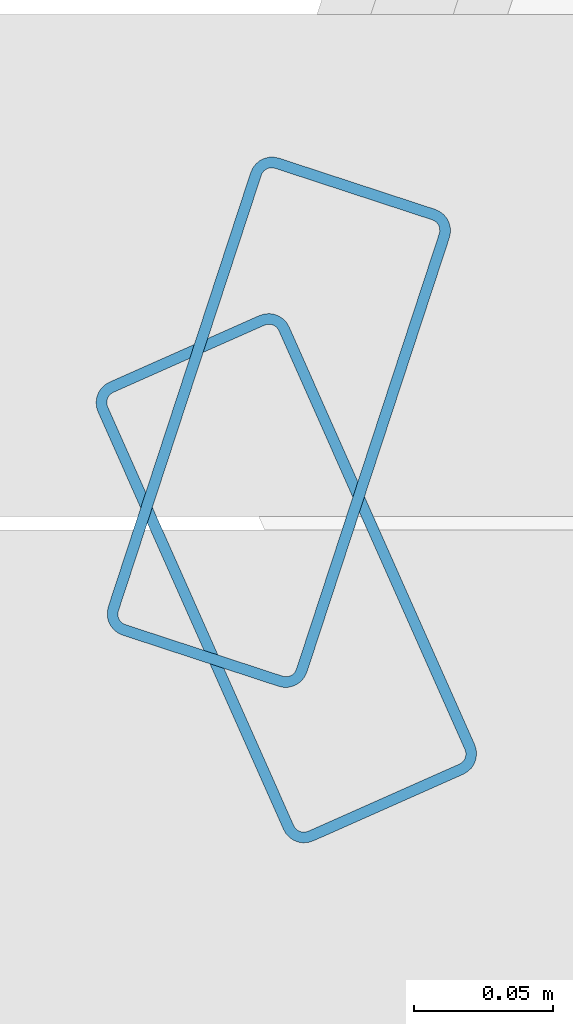
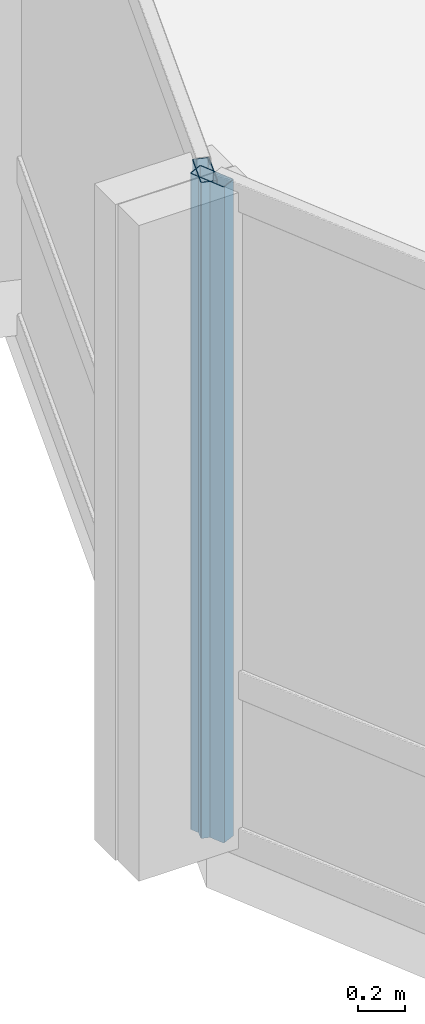
# One storey, part 6 of 29: 2 members, 2 elements without a shape of their own.
"""IFC4 building model written with IfcOpenShell, lengths in metres."""

from ifc_helpers import new_model, si_unit, direction, frame, origin, origin_2d, place, context, subcontext, project, spatial, hollow_rectangle, extrude, material, layer, layer_set, material_profile, profile_set, type_object, element, aggregate, save


model = new_model("IFC4")

# Units and contexts
model_context = context("Model", 3, precision=1e-05, world=origin(), true_north=direction((0.0, 1.0)))
body_context = subcontext(model_context, "Body", "Model", "MODEL_VIEW")
ifc_project = project(units=[si_unit("LENGTHUNIT", "METRE"), si_unit("AREAUNIT", "SQUARE_METRE"), si_unit("VOLUMEUNIT", "CUBIC_METRE"), si_unit("PLANEANGLEUNIT", "RADIAN"), si_unit("MASSUNIT", "GRAM", prefix="KILO")], contexts=[model_context])

# Site, building, storey
site_placement = place(None, origin())
site = spatial("IfcSite", under=ifc_project, at=site_placement, CompositionType="ELEMENT")
building_placement = place(site_placement, origin())
building = spatial("IfcBuilding", under=site, at=building_placement, Name="Solvaryn Broadcast Tower", CompositionType="ELEMENT")
storey_placement = place(building_placement, frame((0.0, 0.0, 117.39990234375)))
storey = spatial("IfcBuildingStorey", under=building, at=storey_placement, Name="L28", CompositionType="ELEMENT", Elevation=117.39990234375)

# Curtain wall, member
ifc_material_1 = material(Name="Aluminium and Terracotta Unitised Curtain Wall", Category="masonry")
ifc_layer_1 = layer(ifc_material_1, 0.199951171875)
ifc_layer_set_1 = layer_set([ifc_layer_1], Name="CW-SYS2-LOWMID")
curtain_wall_type_1 = type_object("IfcCurtainWallType", Name="CW-SYS2-LOWMID", PredefinedType="NOTDEFINED", material=ifc_layer_set_1)
curtain_wall_1_placement = place(storey_placement, origin())
curtain_wall_1 = element("IfcCurtainWall", 1, at=curtain_wall_1_placement, inside=storey, type_object=curtain_wall_type_1, Name="L28 Curtain Wall DR1", PredefinedType="NOTDEFINED")
ifc_material_2 = material(Name="Anodised Aluminium 6063-T6", Category="aluminium")
ifc_material_profile = material_profile(ifc_material_2, hollow_rectangle(XDim=0.074951171875, YDim=0.179931640625, WallThickness=0.00390625, InnerFilletRadius=0.00390625, OuterFilletRadius=0.008056640625, at=origin_2d()))
ifc_profile_set = profile_set([ifc_material_profile], Name="Anodised Aluminium 6063-T6")
member_type = type_object("IfcMemberType", Name="CW-MUL-180", PredefinedType="MULLION", material=ifc_profile_set)
member_1_placement = place(storey_placement, frame((1.04345703125, 26.66455078125, 0.0), z_axis=(0.0, 0.0, 1.0), x_axis=(0.950198260794, -0.311646057547, 0.0)))
member_1 = element("IfcMember", 2, at=member_1_placement, type_object=member_type, Name="CWS2 mullion 2", PredefinedType="MULLION", context=body_context, shape_type="SweptSolid", body=[
    extrude(hollow_rectangle(XDim=0.074951171875, YDim=0.179931640625, WallThickness=0.00390625, InnerFilletRadius=0.00390625, OuterFilletRadius=0.008056640625, at=origin_2d()), origin(), (0.0, 0.0, 1.0), 3.420166015625),
])
aggregate(curtain_wall_1, [member_1])

ifc_material_3 = material(Name="Aluminium and Terracotta Unitised Curtain Wall", Category="masonry")
ifc_layer_2 = layer(ifc_material_3, 0.239990234375)
ifc_layer_set_2 = layer_set([ifc_layer_2], Name="CW-SYS3-BAYBOX")
curtain_wall_type_2 = type_object("IfcCurtainWallType", Name="CW-SYS3-BAYBOX", PredefinedType="NOTDEFINED", material=ifc_layer_set_2)
curtain_wall_2_placement = place(storey_placement, origin())
curtain_wall_2 = element("IfcCurtainWall", 3, at=curtain_wall_2_placement, inside=storey, type_object=curtain_wall_type_2, Name="L28 Curtain Wall DR2", PredefinedType="NOTDEFINED")
member_2_placement = place(storey_placement, frame((1.046142578125, 26.608642578125, 0.0), z_axis=(0.0, 0.0, 1.0), x_axis=(0.913909311008, 0.405918429309, 0.0)))
member_2 = element("IfcMember", 4, at=member_2_placement, type_object=member_type, Name="CWS3 mullion 1", PredefinedType="MULLION", context=body_context, shape_type="SweptSolid", body=[
    extrude(hollow_rectangle(XDim=0.074951171875, YDim=0.179931640625, WallThickness=0.00390625, InnerFilletRadius=0.00390625, OuterFilletRadius=0.008056640625, at=origin_2d()), origin(), (0.0, 0.0, 1.0), 3.420166015625),
])
aggregate(curtain_wall_2, [member_2])

save(model, "model.ifc")
